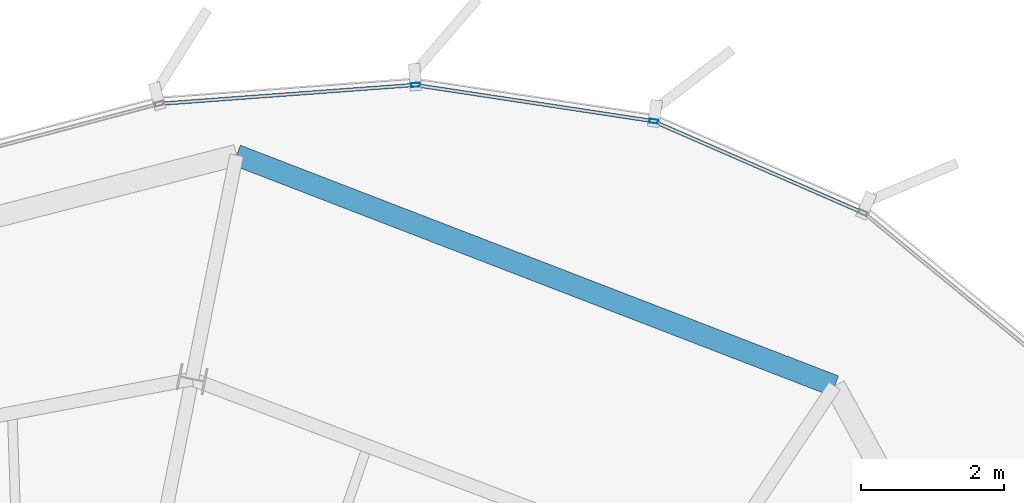
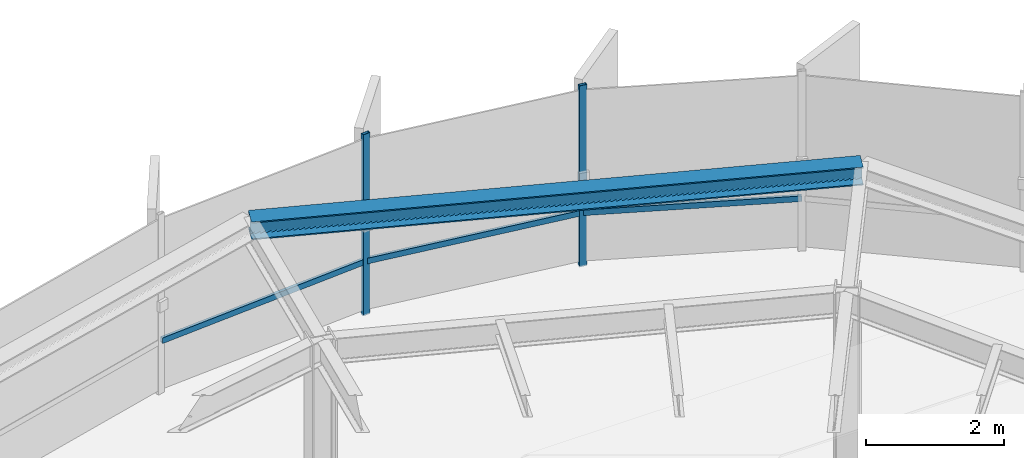
# One storey, part 21 of 31: 5 members, 1 beam, 1 element without a shape of its own.
"""IFC4 building model written with IfcOpenShell, lengths in metres."""

from ifc_helpers import new_model, si_unit, direction, frame, origin, origin_2d, place, context, subcontext, project, spatial, hollow_rectangle, i_section, extrude, source, transform, mapped, material, layer, layer_set, material_profile, profile_set, type_object, element, aggregate, save


model = new_model("IFC4")

# Units and contexts
model_context = context("Model", 3, precision=1e-05, world=origin(), true_north=direction((0.0, 1.0)))
body_context = subcontext(model_context, "Body", "Model", "MODEL_VIEW")
ifc_project = project(units=[si_unit("LENGTHUNIT", "METRE"), si_unit("AREAUNIT", "SQUARE_METRE"), si_unit("VOLUMEUNIT", "CUBIC_METRE"), si_unit("PLANEANGLEUNIT", "RADIAN"), si_unit("MASSUNIT", "GRAM", prefix="KILO"), si_unit("THERMODYNAMICTEMPERATUREUNIT", "KELVIN")], contexts=[model_context])

# Site, building, storey
site_placement = place(None, origin())
site = spatial("IfcSite", under=ifc_project, at=site_placement, CompositionType="ELEMENT")
building_placement = place(site_placement, origin())
building = spatial("IfcBuilding", under=site, at=building_placement, Name="Kethvar Cultural Tower", CompositionType="ELEMENT")
storey_placement = place(building_placement, frame((0.0, 0.0, 269.800048828125)))
storey = spatial("IfcBuildingStorey", under=building, at=storey_placement, Name="L71", CompositionType="ELEMENT", Elevation=269.800048828125)

# Beam
ifc_material_1 = material(Name="Steel S355J2", Category="steel")
ifc_material_profile_1 = material_profile(ifc_material_1, i_section(OverallWidth=0.300048828125, OverallDepth=0.320068359375, WebThickness=0.011474609375, FlangeThickness=0.0205078125, FilletRadius=0.027099609375, at=origin_2d()), Name="Steel S355J2 — HEB320")
ifc_profile_set_1 = profile_set([ifc_material_profile_1], Name="Steel S355J2 — HEB320")
beam_type = type_object("IfcBeamType", Name="BM-SP320", PredefinedType="SPANDREL", material=ifc_profile_set_1)
shared_shape_1 = source(origin(), body_context, "Body", "SweptSolid", [
    extrude(i_section(OverallWidth=0.300048828125, OverallDepth=0.320068359375, WebThickness=0.011474609375, FlangeThickness=0.0205078125, FilletRadius=0.027099609375, at=origin_2d()), origin(), (0.0, 0.0, 1.0), 8.98583984375),
])
beam_placement = place(storey_placement, frame((59.653076171875, 47.035888671875, 3.0478515625), z_axis=(-0.932983803051, 0.359918356359, 0.0), x_axis=(-0.359918356359, -0.932983803051, 0.0)))
element("IfcBeam", 1, at=beam_placement, inside=storey, type_object=beam_type, Name="L71 Perimeter Spandrel Beam SP-03", PredefinedType="SPANDREL", context=body_context, shape_type="MappedRepresentation", body=[
    mapped(shared_shape_1, transform((0.0, 0.0, 0.0), scale=1.0)),
])

# Curtain wall, members
ifc_material_2 = material(Name="Aluminium 6063-T6", Category="aluminium")
ifc_layer = layer(ifc_material_2, 0.179931640625, Name="Aluminium 6063-T6", Category="aluminium")
ifc_layer_set = layer_set([ifc_layer], Name="Aluminium 6063-T6 (180 mm)")
curtain_wall_type = type_object("IfcCurtainWallType", Name="CW-SYS-05-Z56", PredefinedType="NOTDEFINED", material=ifc_layer_set)
curtain_wall_placement = place(storey_placement, origin())
curtain_wall = element("IfcCurtainWall", 2, at=curtain_wall_placement, inside=storey, type_object=curtain_wall_type, Name="L71 Curtain Wall Run 01", PredefinedType="NOTDEFINED")
ifc_material_profile_2 = material_profile(ifc_material_2, hollow_rectangle(XDim=0.054931640625, YDim=0.1201171875, WallThickness=0.00390625, at=origin_2d()), Name="Aluminium 6063-T6 — RHS120x55x4")
ifc_profile_set_2 = profile_set([ifc_material_profile_2], Name="Aluminium 6063-T6 — RHS120x55x4")
member_type_1 = type_object("IfcMemberType", Name="CW-SYS-05-Z56-MUL", PredefinedType="MULLION", material=ifc_profile_set_2)
shared_shape_2 = source(origin(), body_context, "Body", "SweptSolid", [
    extrude(hollow_rectangle(XDim=0.054931640625, YDim=0.1201171875, WallThickness=0.00390625, at=origin_2d()), origin(), (0.0, 0.0, 1.0), 3.2099609375),
])
member_1_placement = place(storey_placement, frame((57.117431640625, 50.74609375, 0.0), z_axis=(0.0, 0.0, 1.0), x_axis=(-0.149863219248, -0.988706738885, 0.0)))
member_1 = element("IfcMember", 3, at=member_1_placement, type_object=member_type_1, Name="CW-L71-R01 Mullion 2", PredefinedType="MULLION", context=body_context, shape_type="MappedRepresentation", body=[
    mapped(shared_shape_2, transform((0.0, 0.0, 0.0), scale=1.0)),
])
member_2_placement = place(storey_placement, frame((53.77783203125, 51.2548828125, 0.0), z_axis=(0.0, 0.0, 1.0), x_axis=(0.073742973943, -0.997277280296, 0.0)))
member_2 = element("IfcMember", 4, at=member_2_placement, type_object=member_type_1, Name="CW-L71-R01 Mullion 3", PredefinedType="MULLION", context=body_context, shape_type="MappedRepresentation", body=[
    mapped(shared_shape_2, transform((0.0, 0.0, 0.0), scale=1.0)),
])
ifc_material_profile_3 = material_profile(ifc_material_2, hollow_rectangle(XDim=0.050048828125, YDim=0.10009765625, WallThickness=0.00390625, at=origin_2d()), Name="Aluminium 6063-T6 — RHS100x50x4")
ifc_profile_set_3 = profile_set([ifc_material_profile_3], Name="Aluminium 6063-T6 — RHS100x50x4")
member_type_2 = type_object("IfcMemberType", Name="CW-SYS-05-Z56-TRN", PredefinedType="USERDEFINED", material=ifc_profile_set_3)
shared_shape_3 = source(origin(), body_context, "Body", "SweptSolid", [
    extrude(hollow_rectangle(XDim=0.050048828125, YDim=0.10009765625, WallThickness=0.00390625, at=origin_2d()), origin(), (0.0, 0.0, 1.0), 3.18310546875),
])
member_3_placement = place(storey_placement, frame((60.046142578125, 49.464599609375, 0.949951171875), z_axis=(-0.916582825069, 0.399844875907, 0.0), x_axis=(-0.399844875907, -0.916582825069, 0.0)))
member_3 = element("IfcMember", 5, at=member_3_placement, type_object=member_type_2, Name="CW-L71-R01 Transom 1", ObjectType="TRANSOM", PredefinedType="USERDEFINED", context=body_context, shape_type="MappedRepresentation", body=[
    mapped(shared_shape_3, transform((0.0, 0.0, 0.0), scale=1.0)),
])
shared_shape_4 = source(origin(), body_context, "Body", "SweptSolid", [
    extrude(hollow_rectangle(XDim=0.050048828125, YDim=0.10009765625, WallThickness=0.00390625, at=origin_2d()), origin(), (0.0, 0.0, 1.0), 3.3212890625),
])
member_4_placement = place(storey_placement, frame((57.078369140625, 50.751953125, 0.949951171875), z_axis=(-0.988703293344, 0.14988594908, 0.0), x_axis=(-0.14988594908, -0.988703293344, 0.0)))
member_4 = element("IfcMember", 6, at=member_4_placement, type_object=member_type_2, Name="CW-L71-R01 Transom 2", ObjectType="TRANSOM", PredefinedType="USERDEFINED", context=body_context, shape_type="MappedRepresentation", body=[
    mapped(shared_shape_4, transform((0.0, 0.0, 0.0), scale=1.0)),
])
shared_shape_5 = source(origin(), body_context, "Body", "SweptSolid", [
    extrude(hollow_rectangle(XDim=0.050048828125, YDim=0.10009765625, WallThickness=0.00390625, at=origin_2d()), origin(), (0.0, 0.0, 1.0), 3.5419921875),
])
member_5_placement = place(storey_placement, frame((53.73828125, 51.251953125, 0.949951171875), z_axis=(-0.997276399107, -0.073754889898, 0.0), x_axis=(0.073754889898, -0.997276399107, 0.0)))
member_5 = element("IfcMember", 7, at=member_5_placement, type_object=member_type_2, Name="CW-L71-R01 Transom 3", ObjectType="TRANSOM", PredefinedType="USERDEFINED", context=body_context, shape_type="MappedRepresentation", body=[
    mapped(shared_shape_5, transform((0.0, 0.0, 0.0), scale=1.0)),
])
aggregate(curtain_wall, [member_1, member_2, member_3, member_4, member_5])

save(model, "model.ifc")
